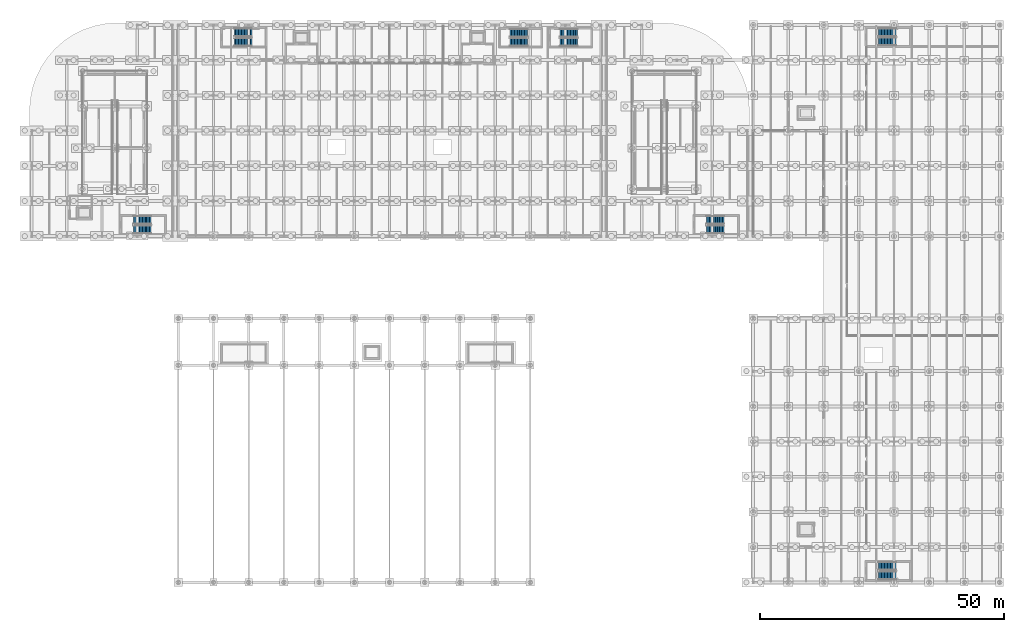
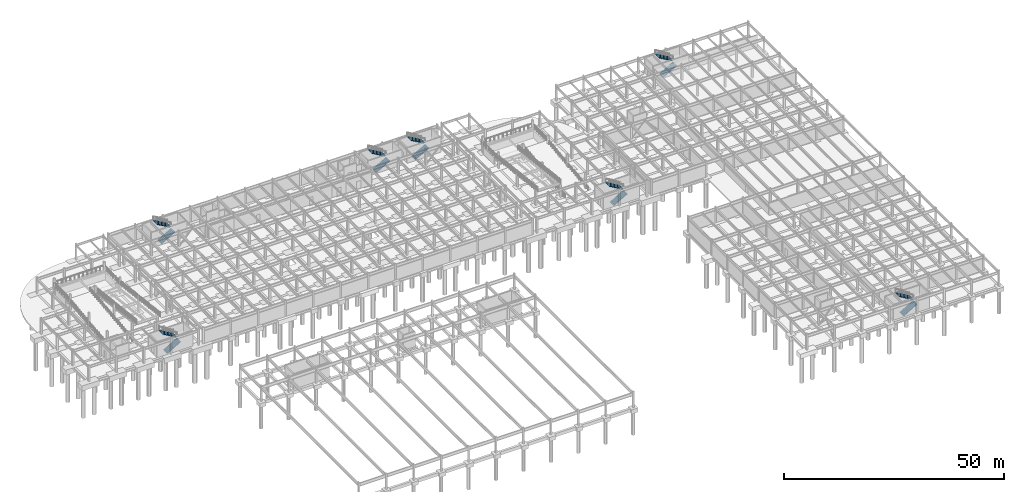
# One storey, part 47 of 54: 14 stair flights, 7 elements without a shape of their own.
"""IFC4 building model written with IfcOpenShell, lengths in metres."""

from ifc_helpers import new_model, si_unit, direction, frame, origin, place, context, subcontext, project, spatial, polyline, outline, extrude, material, layer, layer_set, type_object, element, aggregate, save


model = new_model("IFC4")

# Units and contexts
model_context = context("Model", 3, precision=1e-05, world=origin(), true_north=direction((0.0, 1.0)))
body_context = subcontext(model_context, "Body", "Model", "MODEL_VIEW")
ifc_project = project(units=[si_unit("LENGTHUNIT", "METRE"), si_unit("AREAUNIT", "SQUARE_METRE"), si_unit("VOLUMEUNIT", "CUBIC_METRE"), si_unit("PLANEANGLEUNIT", "RADIAN"), si_unit("MASSUNIT", "GRAM", prefix="KILO")], contexts=[model_context])

# Site, building, storey
site_placement = place(None, origin())
site = spatial("IfcSite", under=ifc_project, at=site_placement, CompositionType="ELEMENT")
building_placement = place(site_placement, origin())
building = spatial("IfcBuilding", under=site, at=building_placement, Name="Vaelcorin Mobility Hub", CompositionType="ELEMENT")
storey_placement = place(building_placement, frame((0.0, 0.0, -4.5)))
storey = spatial("IfcBuildingStorey", under=building, at=storey_placement, Name="B1", CompositionType="ELEMENT", Elevation=-4.5)

# Stair, stair flights
ifc_material = material(Name="Reinforced concrete f'c 45 MPa", Category="concrete")
stair_type_1 = type_object("IfcStairType", Name="STAIR-ST1", PredefinedType="HALF_TURN_STAIR", material=ifc_material)
stair_1_placement = place(storey_placement, origin())
stair_1 = element("IfcStair", 1, at=stair_1_placement, inside=storey, type_object=stair_type_1, Name="B1 Protected Exit Stair ST1", PredefinedType="HALF_TURN_STAIR")
ifc_layer_1 = layer(ifc_material, 0.2080078125)
ifc_layer_set_1 = layer_set([ifc_layer_1], Name="Reinforced concrete f'c 45 MPa")
stair_flight_type_1 = type_object("IfcStairFlightType", Name="FLT-ST1", PredefinedType="STRAIGHT", material=ifc_layer_set_1)
stair_flight_1_placement = place(storey_placement, frame((26.85009765625, 78.18994140625, 0.0), z_axis=(0.0, 0.0, 1.0), x_axis=(1.0, 0.0, 0.0)))
stair_flight_1 = element("IfcStairFlight", 2, at=stair_flight_1_placement, type_object=stair_flight_type_1, Name="ST1 flight 1", NumberOfRisers=13, NumberOfTreads=12, PredefinedType="STRAIGHT", RiserHeight=0.173076923, TreadLength=0.3, context=body_context, shape_type="SweptSolid", body=[
    extrude(outline(polyline([(0.0, 0.0), (0.0, 0.173095703125), (0.300048828125, 0.173095703125), (0.300048828125, 0.34619140625), (0.60009765625, 0.34619140625), (0.60009765625, 0.519287109375), (0.89990234375, 0.519287109375), (0.89990234375, 0.6923828125), (1.199951171875, 0.6923828125), (1.199951171875, 0.865478515625), (1.5, 0.865478515625), (1.5, 1.03857421875), (1.800048828125, 1.03857421875), (1.800048828125, 1.21142578125), (2.10009765625, 1.21142578125), (2.10009765625, 1.384521484375), (2.39990234375, 1.384521484375), (2.39990234375, 1.5576171875), (2.699951171875, 1.5576171875), (2.699951171875, 1.730712890625), (3.0, 1.730712890625), (3.0, 1.90380859375), (3.300048828125, 1.90380859375), (3.300048828125, 2.076904296875), (3.60009765625, 2.076904296875), (3.60009765625, 2.25), (3.60009765625, 1.892333984375), (0.320068359375, 0.0), (0.0, 0.0)])), frame((0.0, 0.83984375, 0.0), z_axis=(0.0, -1.0, 0.0), x_axis=(1.0, 0.0, 0.0)), (0.0, 0.0, 1.0), 1.679931640625),
])
stair_flight_2_placement = place(storey_placement, frame((30.449951171875, 80.070068359375, 2.25), z_axis=(0.0, 0.0, 1.0), x_axis=(-1.0, 0.0, 0.0)))
stair_flight_2 = element("IfcStairFlight", 3, at=stair_flight_2_placement, type_object=stair_flight_type_1, Name="ST1 flight 2", NumberOfRisers=13, NumberOfTreads=12, PredefinedType="STRAIGHT", RiserHeight=0.173076923, TreadLength=0.3, context=body_context, shape_type="SweptSolid", body=[
    extrude(outline(polyline([(0.0, 0.0), (0.0, 0.173095703125), (0.300048828125, 0.173095703125), (0.300048828125, 0.34619140625), (0.60009765625, 0.34619140625), (0.60009765625, 0.519287109375), (0.89990234375, 0.519287109375), (0.89990234375, 0.6923828125), (1.199951171875, 0.6923828125), (1.199951171875, 0.865478515625), (1.5, 0.865478515625), (1.5, 1.03857421875), (1.800048828125, 1.03857421875), (1.800048828125, 1.21142578125), (2.10009765625, 1.21142578125), (2.10009765625, 1.384521484375), (2.39990234375, 1.384521484375), (2.39990234375, 1.5576171875), (2.699951171875, 1.5576171875), (2.699951171875, 1.730712890625), (3.0, 1.730712890625), (3.0, 1.90380859375), (3.300048828125, 1.90380859375), (3.300048828125, 2.076904296875), (3.60009765625, 2.076904296875), (3.60009765625, 2.25), (3.60009765625, 1.892333984375), (0.320068359375, 0.0), (0.0, 0.0)])), frame((0.0, 0.83984375, 0.0), z_axis=(0.0, -1.0, 0.0), x_axis=(1.0, 0.0, 0.0)), (0.0, 0.0, 1.0), 1.679931640625),
])
aggregate(stair_1, [stair_flight_1, stair_flight_2])

stair_type_2 = type_object("IfcStairType", Name="STAIR-ST2", PredefinedType="HALF_TURN_STAIR", material=ifc_material)
stair_2_placement = place(storey_placement, origin())
stair_2 = element("IfcStair", 4, at=stair_2_placement, inside=storey, type_object=stair_type_2, Name="B1 Protected Exit Stair ST2", PredefinedType="HALF_TURN_STAIR")
ifc_layer_2 = layer(ifc_material, 0.216064453125)
ifc_layer_set_2 = layer_set([ifc_layer_2], Name="Reinforced concrete f'c 45 MPa")
stair_flight_type_2 = type_object("IfcStairFlightType", Name="FLT-ST2", PredefinedType="STRAIGHT", material=ifc_layer_set_2)
stair_flight_3_placement = place(storey_placement, frame((144.050048828125, 78.18994140625, 0.0), z_axis=(0.0, 0.0, 1.0), x_axis=(1.0, 0.0, 0.0)))
stair_flight_3 = element("IfcStairFlight", 5, at=stair_flight_3_placement, type_object=stair_flight_type_2, Name="ST2 flight 1", NumberOfRisers=13, NumberOfTreads=12, PredefinedType="STRAIGHT", RiserHeight=0.173076923, TreadLength=0.3, context=body_context, shape_type="SweptSolid", body=[
    extrude(outline(polyline([(0.0, 0.0), (0.0, 0.173095703125), (0.300048828125, 0.173095703125), (0.300048828125, 0.34619140625), (0.60009765625, 0.34619140625), (0.60009765625, 0.519287109375), (0.89990234375, 0.519287109375), (0.89990234375, 0.6923828125), (1.199951171875, 0.6923828125), (1.199951171875, 0.865478515625), (1.5, 0.865478515625), (1.5, 1.03857421875), (1.800048828125, 1.03857421875), (1.800048828125, 1.21142578125), (2.10009765625, 1.21142578125), (2.10009765625, 1.384521484375), (2.39990234375, 1.384521484375), (2.39990234375, 1.5576171875), (2.699951171875, 1.5576171875), (2.699951171875, 1.730712890625), (3.0, 1.730712890625), (3.0, 1.90380859375), (3.300048828125, 1.90380859375), (3.300048828125, 2.076904296875), (3.60009765625, 2.076904296875), (3.60009765625, 2.25), (3.60009765625, 1.892333984375), (0.320068359375, 0.0), (0.0, 0.0)])), frame((0.0, 0.83984375, 0.0), z_axis=(0.0, -1.0, 0.0), x_axis=(1.0, 0.0, 0.0)), (0.0, 0.0, 1.0), 1.679931640625),
])
stair_flight_4_placement = place(storey_placement, frame((147.64990234375, 80.070068359375, 2.25), z_axis=(0.0, 0.0, 1.0), x_axis=(-1.0, 0.0, 0.0)))
stair_flight_4 = element("IfcStairFlight", 6, at=stair_flight_4_placement, type_object=stair_flight_type_2, Name="ST2 flight 2", NumberOfRisers=13, NumberOfTreads=12, PredefinedType="STRAIGHT", RiserHeight=0.173076923, TreadLength=0.3, context=body_context, shape_type="SweptSolid", body=[
    extrude(outline(polyline([(0.0, 0.0), (0.0, 0.173095703125), (0.300048828125, 0.173095703125), (0.300048828125, 0.34619140625), (0.60009765625, 0.34619140625), (0.60009765625, 0.519287109375), (0.89990234375, 0.519287109375), (0.89990234375, 0.6923828125), (1.199951171875, 0.6923828125), (1.199951171875, 0.865478515625), (1.5, 0.865478515625), (1.5, 1.03857421875), (1.800048828125, 1.03857421875), (1.800048828125, 1.21142578125), (2.10009765625, 1.21142578125), (2.10009765625, 1.384521484375), (2.39990234375, 1.384521484375), (2.39990234375, 1.5576171875), (2.699951171875, 1.5576171875), (2.699951171875, 1.730712890625), (3.0, 1.730712890625), (3.0, 1.90380859375), (3.300048828125, 1.90380859375), (3.300048828125, 2.076904296875), (3.60009765625, 2.076904296875), (3.60009765625, 2.25), (3.60009765625, 1.892333984375), (0.320068359375, 0.0), (0.0, 0.0)])), frame((0.0, 0.83984375, 0.0), z_axis=(0.0, -1.0, 0.0), x_axis=(1.0, 0.0, 0.0)), (0.0, 0.0, 1.0), 1.679931640625),
])
aggregate(stair_2, [stair_flight_3, stair_flight_4])

stair_type_3 = type_object("IfcStairType", Name="STAIR-ST3", PredefinedType="HALF_TURN_STAIR", material=ifc_material)
stair_3_placement = place(storey_placement, origin())
stair_3 = element("IfcStair", 7, at=stair_3_placement, inside=storey, type_object=stair_type_3, Name="B1 Protected Exit Stair ST3", PredefinedType="HALF_TURN_STAIR")
ifc_layer_3 = layer(ifc_material, 0.22412109375)
ifc_layer_set_3 = layer_set([ifc_layer_3], Name="Reinforced concrete f'c 45 MPa")
stair_flight_type_3 = type_object("IfcStairFlightType", Name="FLT-ST3", PredefinedType="STRAIGHT", material=ifc_layer_set_3)
stair_flight_5_placement = place(storey_placement, frame((47.449951171875, 116.52001953125, 0.0), z_axis=(0.0, 0.0, 1.0), x_axis=(1.0, 0.0, 0.0)))
stair_flight_5 = element("IfcStairFlight", 8, at=stair_flight_5_placement, type_object=stair_flight_type_3, Name="ST3 flight 1", NumberOfRisers=13, NumberOfTreads=12, PredefinedType="STRAIGHT", RiserHeight=0.173076923, TreadLength=0.3, context=body_context, shape_type="SweptSolid", body=[
    extrude(outline(polyline([(0.0, 0.0), (0.0, 0.173095703125), (0.300048828125, 0.173095703125), (0.300048828125, 0.34619140625), (0.60009765625, 0.34619140625), (0.60009765625, 0.519287109375), (0.89990234375, 0.519287109375), (0.89990234375, 0.6923828125), (1.199951171875, 0.6923828125), (1.199951171875, 0.865478515625), (1.5, 0.865478515625), (1.5, 1.03857421875), (1.800048828125, 1.03857421875), (1.800048828125, 1.21142578125), (2.10009765625, 1.21142578125), (2.10009765625, 1.384521484375), (2.39990234375, 1.384521484375), (2.39990234375, 1.5576171875), (2.699951171875, 1.5576171875), (2.699951171875, 1.730712890625), (3.0, 1.730712890625), (3.0, 1.90380859375), (3.300048828125, 1.90380859375), (3.300048828125, 2.076904296875), (3.60009765625, 2.076904296875), (3.60009765625, 2.25), (3.60009765625, 1.892333984375), (0.320068359375, 0.0), (0.0, 0.0)])), frame((0.0, 0.8701171875, 0.0), z_axis=(0.0, -1.0, 0.0), x_axis=(1.0, 0.0, 0.0)), (0.0, 0.0, 1.0), 1.739990234375),
])
stair_flight_6_placement = place(storey_placement, frame((51.050048828125, 118.4599609375, 2.25), z_axis=(0.0, 0.0, 1.0), x_axis=(-1.0, 0.0, 0.0)))
stair_flight_6 = element("IfcStairFlight", 9, at=stair_flight_6_placement, type_object=stair_flight_type_3, Name="ST3 flight 2", NumberOfRisers=13, NumberOfTreads=12, PredefinedType="STRAIGHT", RiserHeight=0.173076923, TreadLength=0.3, context=body_context, shape_type="SweptSolid", body=[
    extrude(outline(polyline([(0.0, 0.0), (0.0, 0.173095703125), (0.300048828125, 0.173095703125), (0.300048828125, 0.34619140625), (0.60009765625, 0.34619140625), (0.60009765625, 0.519287109375), (0.89990234375, 0.519287109375), (0.89990234375, 0.6923828125), (1.199951171875, 0.6923828125), (1.199951171875, 0.865478515625), (1.5, 0.865478515625), (1.5, 1.03857421875), (1.800048828125, 1.03857421875), (1.800048828125, 1.21142578125), (2.10009765625, 1.21142578125), (2.10009765625, 1.384521484375), (2.39990234375, 1.384521484375), (2.39990234375, 1.5576171875), (2.699951171875, 1.5576171875), (2.699951171875, 1.730712890625), (3.0, 1.730712890625), (3.0, 1.90380859375), (3.300048828125, 1.90380859375), (3.300048828125, 2.076904296875), (3.60009765625, 2.076904296875), (3.60009765625, 2.25), (3.60009765625, 1.892333984375), (0.320068359375, 0.0), (0.0, 0.0)])), frame((0.0, 0.8701171875, 0.0), z_axis=(0.0, -1.0, 0.0), x_axis=(1.0, 0.0, 0.0)), (0.0, 0.0, 1.0), 1.739990234375),
])
aggregate(stair_3, [stair_flight_5, stair_flight_6])

stair_type_4 = type_object("IfcStairType", Name="STAIR-ST4", PredefinedType="HALF_TURN_STAIR", material=ifc_material)
stair_4_placement = place(storey_placement, origin())
stair_4 = element("IfcStair", 10, at=stair_4_placement, inside=storey, type_object=stair_type_4, Name="B1 Protected Exit Stair ST4", PredefinedType="HALF_TURN_STAIR")
ifc_layer_4 = layer(ifc_material, 0.23193359375)
ifc_layer_set_4 = layer_set([ifc_layer_4], Name="Reinforced concrete f'c 45 MPa")
stair_flight_type_4 = type_object("IfcStairFlightType", Name="FLT-ST4", PredefinedType="STRAIGHT", material=ifc_layer_set_4)
stair_flight_7_placement = place(storey_placement, frame((103.85009765625, 116.489990234375, 0.0), z_axis=(0.0, 0.0, 1.0), x_axis=(1.0, 0.0, 0.0)))
stair_flight_7 = element("IfcStairFlight", 11, at=stair_flight_7_placement, type_object=stair_flight_type_4, Name="ST4 flight 1", NumberOfRisers=13, NumberOfTreads=12, PredefinedType="STRAIGHT", RiserHeight=0.173076923, TreadLength=0.3, context=body_context, shape_type="SweptSolid", body=[
    extrude(outline(polyline([(0.0, 0.0), (0.0, 0.173095703125), (0.300048828125, 0.173095703125), (0.300048828125, 0.34619140625), (0.60009765625, 0.34619140625), (0.60009765625, 0.519287109375), (0.89990234375, 0.519287109375), (0.89990234375, 0.6923828125), (1.199951171875, 0.6923828125), (1.199951171875, 0.865478515625), (1.5, 0.865478515625), (1.5, 1.03857421875), (1.800048828125, 1.03857421875), (1.800048828125, 1.21142578125), (2.10009765625, 1.21142578125), (2.10009765625, 1.384521484375), (2.39990234375, 1.384521484375), (2.39990234375, 1.5576171875), (2.699951171875, 1.5576171875), (2.699951171875, 1.730712890625), (3.0, 1.730712890625), (3.0, 1.90380859375), (3.300048828125, 1.90380859375), (3.300048828125, 2.076904296875), (3.60009765625, 2.076904296875), (3.60009765625, 2.25), (3.60009765625, 1.892333984375), (0.320068359375, 0.0), (0.0, 0.0)])), frame((0.0, 0.83984375, 0.0), z_axis=(0.0, -1.0, 0.0), x_axis=(1.0, 0.0, 0.0)), (0.0, 0.0, 1.0), 1.679931640625),
])
stair_flight_8_placement = place(storey_placement, frame((107.449951171875, 118.3701171875, 2.25), z_axis=(0.0, 0.0, 1.0), x_axis=(-1.0, 0.0, 0.0)))
stair_flight_8 = element("IfcStairFlight", 12, at=stair_flight_8_placement, type_object=stair_flight_type_4, Name="ST4 flight 2", NumberOfRisers=13, NumberOfTreads=12, PredefinedType="STRAIGHT", RiserHeight=0.173076923, TreadLength=0.3, context=body_context, shape_type="SweptSolid", body=[
    extrude(outline(polyline([(0.0, 0.0), (0.0, 0.173095703125), (0.300048828125, 0.173095703125), (0.300048828125, 0.34619140625), (0.60009765625, 0.34619140625), (0.60009765625, 0.519287109375), (0.89990234375, 0.519287109375), (0.89990234375, 0.6923828125), (1.199951171875, 0.6923828125), (1.199951171875, 0.865478515625), (1.5, 0.865478515625), (1.5, 1.03857421875), (1.800048828125, 1.03857421875), (1.800048828125, 1.21142578125), (2.10009765625, 1.21142578125), (2.10009765625, 1.384521484375), (2.39990234375, 1.384521484375), (2.39990234375, 1.5576171875), (2.699951171875, 1.5576171875), (2.699951171875, 1.730712890625), (3.0, 1.730712890625), (3.0, 1.90380859375), (3.300048828125, 1.90380859375), (3.300048828125, 2.076904296875), (3.60009765625, 2.076904296875), (3.60009765625, 2.25), (3.60009765625, 1.892333984375), (0.320068359375, 0.0), (0.0, 0.0)])), frame((0.0, 0.83984375, 0.0), z_axis=(0.0, -1.0, 0.0), x_axis=(1.0, 0.0, 0.0)), (0.0, 0.0, 1.0), 1.679931640625),
])
aggregate(stair_4, [stair_flight_7, stair_flight_8])

stair_type_5 = type_object("IfcStairType", Name="STAIR-ST5", PredefinedType="HALF_TURN_STAIR", material=ifc_material)
stair_5_placement = place(storey_placement, origin())
stair_5 = element("IfcStair", 13, at=stair_5_placement, inside=storey, type_object=stair_type_5, Name="B1 Protected Exit Stair ST5", PredefinedType="HALF_TURN_STAIR")
ifc_layer_5 = layer(ifc_material, 0.239990234375)
ifc_layer_set_5 = layer_set([ifc_layer_5], Name="Reinforced concrete f'c 45 MPa")
stair_flight_type_5 = type_object("IfcStairFlightType", Name="FLT-ST5", PredefinedType="STRAIGHT", material=ifc_layer_set_5)
stair_flight_9_placement = place(storey_placement, frame((179.25, 7.39990234375, 0.0), z_axis=(0.0, 0.0, 1.0), x_axis=(1.0, 0.0, 0.0)))
stair_flight_9 = element("IfcStairFlight", 14, at=stair_flight_9_placement, type_object=stair_flight_type_5, Name="ST5 flight 1", NumberOfRisers=13, NumberOfTreads=12, PredefinedType="STRAIGHT", RiserHeight=0.173076923, TreadLength=0.3, context=body_context, shape_type="SweptSolid", body=[
    extrude(outline(polyline([(0.0, 0.0), (0.0, 0.173095703125), (0.300048828125, 0.173095703125), (0.300048828125, 0.34619140625), (0.60009765625, 0.34619140625), (0.60009765625, 0.519287109375), (0.89990234375, 0.519287109375), (0.89990234375, 0.6923828125), (1.199951171875, 0.6923828125), (1.199951171875, 0.865478515625), (1.5, 0.865478515625), (1.5, 1.03857421875), (1.800048828125, 1.03857421875), (1.800048828125, 1.21142578125), (2.10009765625, 1.21142578125), (2.10009765625, 1.384521484375), (2.39990234375, 1.384521484375), (2.39990234375, 1.5576171875), (2.699951171875, 1.5576171875), (2.699951171875, 1.730712890625), (3.0, 1.730712890625), (3.0, 1.90380859375), (3.300048828125, 1.90380859375), (3.300048828125, 2.076904296875), (3.60009765625, 2.076904296875), (3.60009765625, 2.25), (3.60009765625, 1.892333984375), (0.320068359375, 0.0), (0.0, 0.0)])), frame((0.0, 0.85009765625, 0.0), z_axis=(0.0, -1.0, 0.0), x_axis=(1.0, 0.0, 0.0)), (0.0, 0.0, 1.0), 1.699951171875),
])
stair_flight_10_placement = place(storey_placement, frame((182.85009765625, 9.300048828125, 2.25), z_axis=(0.0, 0.0, 1.0), x_axis=(-1.0, 0.0, 0.0)))
stair_flight_10 = element("IfcStairFlight", 15, at=stair_flight_10_placement, type_object=stair_flight_type_5, Name="ST5 flight 2", NumberOfRisers=13, NumberOfTreads=12, PredefinedType="STRAIGHT", RiserHeight=0.173076923, TreadLength=0.3, context=body_context, shape_type="SweptSolid", body=[
    extrude(outline(polyline([(0.0, 0.0), (0.0, 0.173095703125), (0.300048828125, 0.173095703125), (0.300048828125, 0.34619140625), (0.60009765625, 0.34619140625), (0.60009765625, 0.519287109375), (0.89990234375, 0.519287109375), (0.89990234375, 0.6923828125), (1.199951171875, 0.6923828125), (1.199951171875, 0.865478515625), (1.5, 0.865478515625), (1.5, 1.03857421875), (1.800048828125, 1.03857421875), (1.800048828125, 1.21142578125), (2.10009765625, 1.21142578125), (2.10009765625, 1.384521484375), (2.39990234375, 1.384521484375), (2.39990234375, 1.5576171875), (2.699951171875, 1.5576171875), (2.699951171875, 1.730712890625), (3.0, 1.730712890625), (3.0, 1.90380859375), (3.300048828125, 1.90380859375), (3.300048828125, 2.076904296875), (3.60009765625, 2.076904296875), (3.60009765625, 2.25), (3.60009765625, 1.892333984375), (0.320068359375, 0.0), (0.0, 0.0)])), frame((0.0, 0.85009765625, 0.0), z_axis=(0.0, -1.0, 0.0), x_axis=(1.0, 0.0, 0.0)), (0.0, 0.0, 1.0), 1.699951171875),
])
aggregate(stair_5, [stair_flight_9, stair_flight_10])

stair_type_6 = type_object("IfcStairType", Name="STAIR-ST6", PredefinedType="HALF_TURN_STAIR", material=ifc_material)
stair_6_placement = place(storey_placement, origin())
stair_6 = element("IfcStair", 16, at=stair_6_placement, inside=storey, type_object=stair_type_6, Name="B1 Protected Exit Stair ST6", PredefinedType="HALF_TURN_STAIR")
ifc_layer_6 = layer(ifc_material, 0.248046875)
ifc_layer_set_6 = layer_set([ifc_layer_6], Name="Reinforced concrete f'c 45 MPa")
stair_flight_type_6 = type_object("IfcStairFlightType", Name="FLT-ST6", PredefinedType="STRAIGHT", material=ifc_layer_set_6)
stair_flight_11_placement = place(storey_placement, frame((179.25, 116.60009765625, 0.0), z_axis=(0.0, 0.0, 1.0), x_axis=(1.0, 0.0, 0.0)))
stair_flight_11 = element("IfcStairFlight", 17, at=stair_flight_11_placement, type_object=stair_flight_type_6, Name="ST6 flight 1", NumberOfRisers=13, NumberOfTreads=12, PredefinedType="STRAIGHT", RiserHeight=0.173076923, TreadLength=0.3, context=body_context, shape_type="SweptSolid", body=[
    extrude(outline(polyline([(0.0, 0.0), (0.0, 0.173095703125), (0.300048828125, 0.173095703125), (0.300048828125, 0.34619140625), (0.60009765625, 0.34619140625), (0.60009765625, 0.519287109375), (0.89990234375, 0.519287109375), (0.89990234375, 0.6923828125), (1.199951171875, 0.6923828125), (1.199951171875, 0.865478515625), (1.5, 0.865478515625), (1.5, 1.03857421875), (1.800048828125, 1.03857421875), (1.800048828125, 1.21142578125), (2.10009765625, 1.21142578125), (2.10009765625, 1.384521484375), (2.39990234375, 1.384521484375), (2.39990234375, 1.5576171875), (2.699951171875, 1.5576171875), (2.699951171875, 1.730712890625), (3.0, 1.730712890625), (3.0, 1.90380859375), (3.300048828125, 1.90380859375), (3.300048828125, 2.076904296875), (3.60009765625, 2.076904296875), (3.60009765625, 2.25), (3.60009765625, 1.892333984375), (0.320068359375, 0.0), (0.0, 0.0)])), frame((0.0, 0.85009765625, 0.0), z_axis=(0.0, -1.0, 0.0), x_axis=(1.0, 0.0, 0.0)), (0.0, 0.0, 1.0), 1.699951171875),
])
stair_flight_12_placement = place(storey_placement, frame((182.85009765625, 118.5, 2.25), z_axis=(0.0, 0.0, 1.0), x_axis=(-1.0, 0.0, 0.0)))
stair_flight_12 = element("IfcStairFlight", 18, at=stair_flight_12_placement, type_object=stair_flight_type_6, Name="ST6 flight 2", NumberOfRisers=13, NumberOfTreads=12, PredefinedType="STRAIGHT", RiserHeight=0.173076923, TreadLength=0.3, context=body_context, shape_type="SweptSolid", body=[
    extrude(outline(polyline([(0.0, 0.0), (0.0, 0.173095703125), (0.300048828125, 0.173095703125), (0.300048828125, 0.34619140625), (0.60009765625, 0.34619140625), (0.60009765625, 0.519287109375), (0.89990234375, 0.519287109375), (0.89990234375, 0.6923828125), (1.199951171875, 0.6923828125), (1.199951171875, 0.865478515625), (1.5, 0.865478515625), (1.5, 1.03857421875), (1.800048828125, 1.03857421875), (1.800048828125, 1.21142578125), (2.10009765625, 1.21142578125), (2.10009765625, 1.384521484375), (2.39990234375, 1.384521484375), (2.39990234375, 1.5576171875), (2.699951171875, 1.5576171875), (2.699951171875, 1.730712890625), (3.0, 1.730712890625), (3.0, 1.90380859375), (3.300048828125, 1.90380859375), (3.300048828125, 2.076904296875), (3.60009765625, 2.076904296875), (3.60009765625, 2.25), (3.60009765625, 1.892333984375), (0.320068359375, 0.0), (0.0, 0.0)])), frame((0.0, 0.85009765625, 0.0), z_axis=(0.0, -1.0, 0.0), x_axis=(1.0, 0.0, 0.0)), (0.0, 0.0, 1.0), 1.699951171875),
])
aggregate(stair_6, [stair_flight_11, stair_flight_12])

stair_type_7 = type_object("IfcStairType", Name="STAIR-ST9", PredefinedType="HALF_TURN_STAIR", material=ifc_material)
stair_7_placement = place(storey_placement, origin())
stair_7 = element("IfcStair", 19, at=stair_7_placement, inside=storey, type_object=stair_type_7, Name="B1 Protected Exit Stair ST9", PredefinedType="HALF_TURN_STAIR")
ifc_layer_7 = layer(ifc_material, 0.27197265625)
ifc_layer_set_7 = layer_set([ifc_layer_7], Name="Reinforced concrete f'c 45 MPa")
stair_flight_type_7 = type_object("IfcStairFlightType", Name="FLT-ST9", PredefinedType="STRAIGHT", material=ifc_layer_set_7)
stair_flight_13_placement = place(storey_placement, frame((114.10009765625, 116.489990234375, 0.0), z_axis=(0.0, 0.0, 1.0), x_axis=(1.0, 0.0, 0.0)))
stair_flight_13 = element("IfcStairFlight", 20, at=stair_flight_13_placement, type_object=stair_flight_type_7, Name="ST9 flight 1", NumberOfRisers=13, NumberOfTreads=12, PredefinedType="STRAIGHT", RiserHeight=0.173076923, TreadLength=0.3, context=body_context, shape_type="SweptSolid", body=[
    extrude(outline(polyline([(0.0, 0.0), (0.0, 0.173095703125), (0.300048828125, 0.173095703125), (0.300048828125, 0.34619140625), (0.60009765625, 0.34619140625), (0.60009765625, 0.519287109375), (0.89990234375, 0.519287109375), (0.89990234375, 0.6923828125), (1.199951171875, 0.6923828125), (1.199951171875, 0.865478515625), (1.5, 0.865478515625), (1.5, 1.03857421875), (1.800048828125, 1.03857421875), (1.800048828125, 1.21142578125), (2.10009765625, 1.21142578125), (2.10009765625, 1.384521484375), (2.39990234375, 1.384521484375), (2.39990234375, 1.5576171875), (2.699951171875, 1.5576171875), (2.699951171875, 1.730712890625), (3.0, 1.730712890625), (3.0, 1.90380859375), (3.300048828125, 1.90380859375), (3.300048828125, 2.076904296875), (3.60009765625, 2.076904296875), (3.60009765625, 2.25), (3.60009765625, 1.892333984375), (0.320068359375, 0.0), (0.0, 0.0)])), frame((0.0, 0.83984375, 0.0), z_axis=(0.0, -1.0, 0.0), x_axis=(1.0, 0.0, 0.0)), (0.0, 0.0, 1.0), 1.679931640625),
])
stair_flight_14_placement = place(storey_placement, frame((117.699951171875, 118.3701171875, 2.25), z_axis=(0.0, 0.0, 1.0), x_axis=(-1.0, 0.0, 0.0)))
stair_flight_14 = element("IfcStairFlight", 21, at=stair_flight_14_placement, type_object=stair_flight_type_7, Name="ST9 flight 2", NumberOfRisers=13, NumberOfTreads=12, PredefinedType="STRAIGHT", RiserHeight=0.173076923, TreadLength=0.3, context=body_context, shape_type="SweptSolid", body=[
    extrude(outline(polyline([(0.0, 0.0), (0.0, 0.173095703125), (0.300048828125, 0.173095703125), (0.300048828125, 0.34619140625), (0.60009765625, 0.34619140625), (0.60009765625, 0.519287109375), (0.89990234375, 0.519287109375), (0.89990234375, 0.6923828125), (1.199951171875, 0.6923828125), (1.199951171875, 0.865478515625), (1.5, 0.865478515625), (1.5, 1.03857421875), (1.800048828125, 1.03857421875), (1.800048828125, 1.21142578125), (2.10009765625, 1.21142578125), (2.10009765625, 1.384521484375), (2.39990234375, 1.384521484375), (2.39990234375, 1.5576171875), (2.699951171875, 1.5576171875), (2.699951171875, 1.730712890625), (3.0, 1.730712890625), (3.0, 1.90380859375), (3.300048828125, 1.90380859375), (3.300048828125, 2.076904296875), (3.60009765625, 2.076904296875), (3.60009765625, 2.25), (3.60009765625, 1.892333984375), (0.320068359375, 0.0), (0.0, 0.0)])), frame((0.0, 0.83984375, 0.0), z_axis=(0.0, -1.0, 0.0), x_axis=(1.0, 0.0, 0.0)), (0.0, 0.0, 1.0), 1.679931640625),
])
aggregate(stair_7, [stair_flight_13, stair_flight_14])

save(model, "model.ifc")
